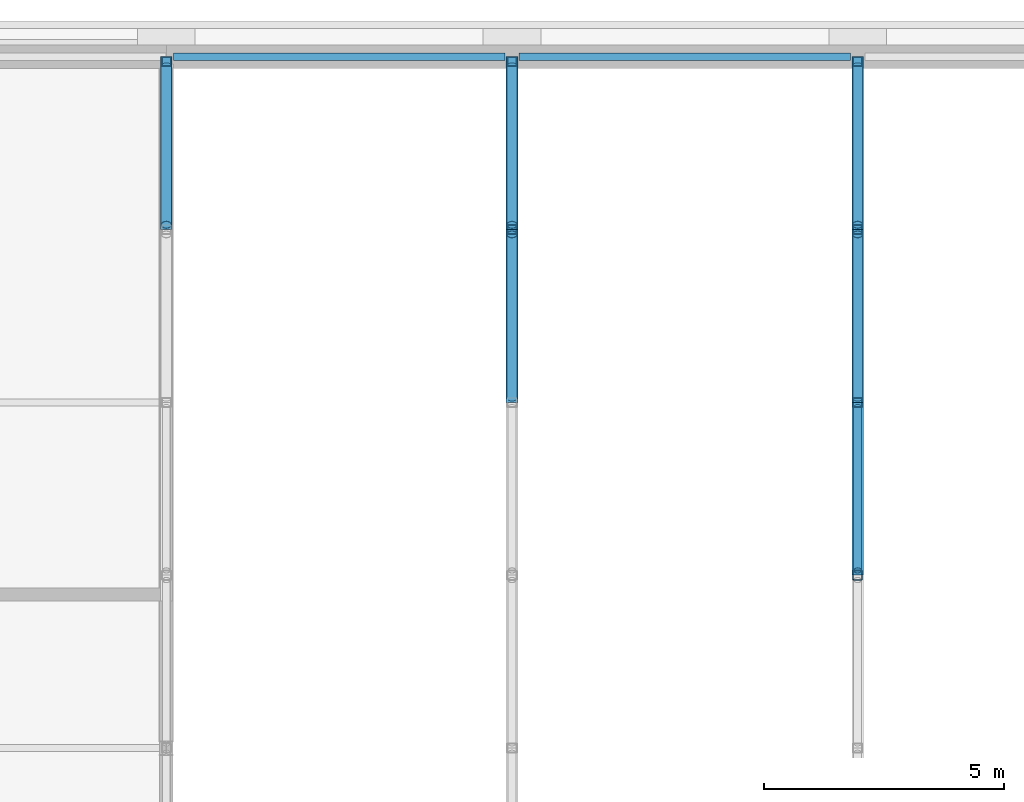
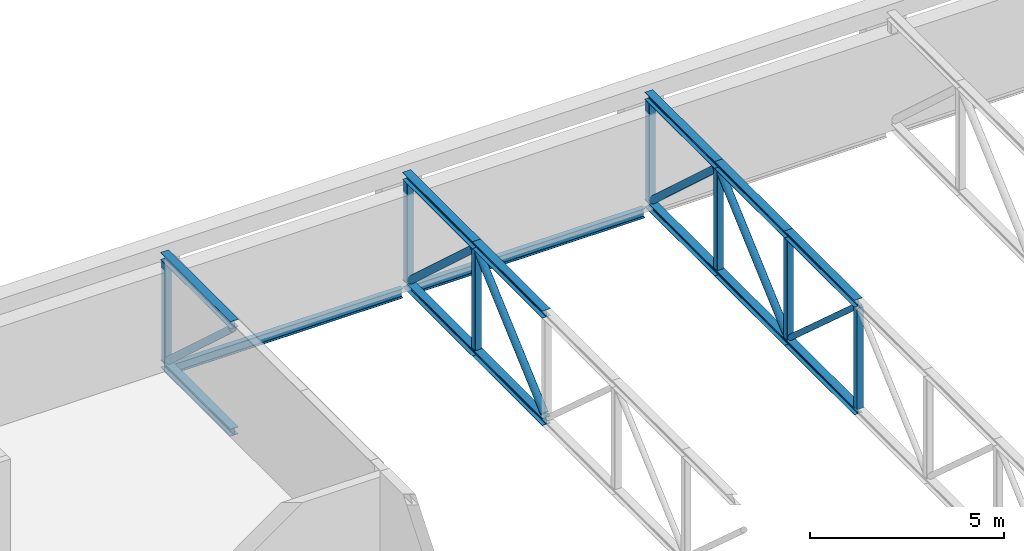
# One storey, part 76 of 142: 25 members, 2 beams.
"""IFC4 building model written with IfcOpenShell, lengths in metres."""

import ifcopenshell
import ifcopenshell.guid

model = None  # the IFC model being written
_history = None  # IfcOwnerHistory: only IFC2X3 demands one
_inside = {}  # id of a spatial element -> (the spatial element, [elements in it])
_under = {}  # id of a project, library or spatial element -> (it, [spatial elements below it])
_declared = {}  # id of a project -> (the project, [libraries it declares])
_typed = {}  # id of a type object -> (the type object, [elements of that type])
_made_of = {}  # id of a material, layer set ... -> (it, [elements and type objects made of it])


def new_model(schema):
    """Start an empty IFC model of exactly this schema.

    Asked for "IFC4X3", IfcOpenShell would pick the latest addendum, in which some entities
    have other attributes; the version numbers below select the first issue.
    IFC2X3 requires an IfcOwnerHistory on every rooted entity: one is made here for all.
    """
    global model, _history
    if schema == "IFC4X3":
        model = ifcopenshell.file(schema_version=(4, 3, 0, 0))
    else:
        model = ifcopenshell.file(schema=schema)
    _inside.clear()
    _under.clear()
    _declared.clear()
    _typed.clear()
    _made_of.clear()
    _history = None
    if model.schema == "IFC2X3":
        org = make("IfcOrganization", Name="unknown")
        user = make(
            "IfcPersonAndOrganization",
            ThePerson=make("IfcPerson", FamilyName="unknown"),
            TheOrganization=org,
        )
        app = make(
            "IfcApplication",
            ApplicationDeveloper=org,
            Version="unknown",
            ApplicationFullName="unknown",
            ApplicationIdentifier="unknown",
        )
        _history = make(
            "IfcOwnerHistory",
            OwningUser=user,
            OwningApplication=app,
            ChangeAction="ADDED",
            CreationDate=0,
        )
    return model


def make(cls, **values):
    """One entity of the class cls with the attributes given. An attribute that is None is left unset."""
    return model.create_entity(
        cls, **{name: value for name, value in values.items() if value is not None}
    )


def rooted(cls, **values):
    """An entity with a GlobalId (a new one), such as an element, a storey or a relation."""
    return make(cls, GlobalId=ifcopenshell.guid.new(), OwnerHistory=_history, **values)


def si_unit(unit_type, name, prefix=None):
    """IfcSIUnit, for example si_unit("LENGTHUNIT", "METRE", prefix="MILLI")."""
    return make("IfcSIUnit", UnitType=unit_type, Prefix=prefix, Name=name)


def assignment(units):
    """IfcUnitAssignment: the units of a project."""
    return None if units is None else make("IfcUnitAssignment", Units=units)


def point(xyz):
    """IfcCartesianPoint."""
    return None if xyz is None else make("IfcCartesianPoint", Coordinates=xyz)


def direction(xyz):
    """IfcDirection."""
    return None if xyz is None else make("IfcDirection", DirectionRatios=xyz)


def frame(location, z_axis=None, x_axis=None):
    """IfcAxis2Placement3D, a coordinate frame: its origin and axes. An axis left out is left unset."""
    return make(
        "IfcAxis2Placement3D",
        Location=point(location),
        Axis=direction(z_axis),
        RefDirection=direction(x_axis),
    )


def frame_2d(location, x_axis=None):
    """IfcAxis2Placement2D, a coordinate frame in the plane: its origin and x axis."""
    return make(
        "IfcAxis2Placement2D", Location=point(location), RefDirection=direction(x_axis)
    )


def origin():
    """The frame at (0, 0, 0) with its axes left unset."""
    return frame((0.0, 0.0, 0.0))


def origin_2d():
    """The frame at (0, 0) in the plane with its x axis left unset."""
    return frame_2d((0.0, 0.0))


def place(relative_to, where):
    """IfcLocalPlacement: puts the frame where relative to a parent placement (None: the world)."""
    return make(
        "IfcLocalPlacement", PlacementRelTo=relative_to, RelativePlacement=where
    )


def context(
    kind, dimensions, precision=None, world=None, true_north=None, identifier=None
):
    """IfcGeometricRepresentationContext, for example the 3D "Model" context."""
    return make(
        "IfcGeometricRepresentationContext",
        ContextIdentifier=identifier,
        ContextType=kind,
        CoordinateSpaceDimension=dimensions,
        Precision=precision,
        WorldCoordinateSystem=world,
        TrueNorth=true_north,
    )


def subcontext(parent, identifier, kind, view, scale=None):
    """IfcGeometricRepresentationSubContext, for example "Body" below "Model"."""
    return make(
        "IfcGeometricRepresentationSubContext",
        ContextIdentifier=identifier,
        ContextType=kind,
        ParentContext=parent,
        TargetScale=scale,
        TargetView=view,
    )


def project(units=None, contexts=None):
    """IfcProject with its units and contexts."""
    return rooted(
        "IfcProject",
        Name="project",
        RepresentationContexts=contexts,
        UnitsInContext=assignment(units),
    )


def spatial(cls, under=None, at=None, **own):
    """A site, building, storey or space (cls), placed at a placement, below another one or the project."""
    s = rooted(cls, ObjectPlacement=at, **own)
    if under is not None:
        _under.setdefault(under.id(), (under, []))[1].append(s)
    return s


def profile(cls, at=None, kind="AREA", **sizes):
    """A parametric profile (cls). Its sizes go by their IFC names, for example OverallWidth=200.0."""
    return make(cls, ProfileType=kind, Position=at, **sizes)


def hollow_rectangle(**sizes):
    """IfcRectangleHollowProfileDef."""
    return profile("IfcRectangleHollowProfileDef", **sizes)


def hollow_circle(**sizes):
    """IfcCircleHollowProfileDef."""
    return profile("IfcCircleHollowProfileDef", **sizes)


def i_section(**sizes):
    """IfcIShapeProfileDef."""
    return profile("IfcIShapeProfileDef", **sizes)


def extrude(swept, where, along, depth):
    """IfcExtrudedAreaSolid: the profile swept, set in the frame where, extruded along a direction by depth."""
    return make(
        "IfcExtrudedAreaSolid",
        SweptArea=swept,
        Position=where,
        ExtrudedDirection=direction(along),
        Depth=depth,
    )


def shape(context_of_items, identifier, shape_type, items):
    """IfcShapeRepresentation: the items that make up one representation, for example the "Body"."""
    return make(
        "IfcShapeRepresentation",
        ContextOfItems=context_of_items,
        RepresentationIdentifier=identifier,
        RepresentationType=shape_type,
        Items=items,
    )


def material(Name=None, Category=None):
    """IfcMaterial."""
    return make("IfcMaterial", Name=Name, Category=Category)


def material_profile(
    of_material, cross_section, Name=None, Category=None, Priority=None
):
    """IfcMaterialProfile: a cross section and its material."""
    return make(
        "IfcMaterialProfile",
        Name=Name,
        Material=of_material,
        Profile=cross_section,
        Priority=Priority,
        Category=Category,
    )


def profile_set(profiles, Name=None, composite=None):
    """IfcMaterialProfileSet."""
    return make(
        "IfcMaterialProfileSet",
        Name=Name,
        MaterialProfiles=profiles,
        CompositeProfile=composite,
    )


def made_of(thing, what):
    """Note that an element or type object is made of a material, layer set ...; save() writes the relation."""
    if what is not None:
        _made_of.setdefault(what.id(), (what, []))[1].append(thing)
    return thing


def type_object(cls, material=None, **own):
    """A type object (cls), such as IfcWallType, which elements share."""
    return made_of(rooted(cls, **own), material)


def element(
    cls,
    number,
    at=None,
    inside=None,
    cuts=None,
    type_object=None,
    material=None,
    context=None,
    identifier="Body",
    shape_type=None,
    held_by="IfcProductDefinitionShape",
    body=None,
    shapes=None,
    **own,
):
    """One element of the class cls, such as IfcWall. Its Tag is "e" and its number.

    at: its placement. inside: the storey or other place that contains it. cuts: it is an
    opening in that element (IfcRelVoidsElement). A single representation is given by context,
    identifier, shape_type and body (its items); several are given by shapes. held_by: the class
    of the entity that holds the representations. save() writes the other relations.
    """
    e = rooted(cls, Tag="e%d" % number, ObjectPlacement=at, **own)
    if body is not None:
        shapes = [shape(context, identifier, shape_type, body)]
    if shapes is not None:
        e.Representation = make(held_by, Representations=shapes)
    if inside is not None:
        _inside.setdefault(inside.id(), (inside, []))[1].append(e)
    if cuts is not None:
        rooted(
            "IfcRelVoidsElement", RelatingBuildingElement=cuts, RelatedOpeningElement=e
        )
    if type_object is not None:
        _typed.setdefault(type_object.id(), (type_object, []))[1].append(e)
    return made_of(e, material)


def aggregate(whole, parts):
    """IfcRelAggregates: a whole, such as a stair, and the parts it consists of."""
    return rooted("IfcRelAggregates", RelatingObject=whole, RelatedObjects=parts)


def save(model, path):
    """Write the relations noted so far, then the file.

    IfcRelAggregates (storeys below a building ...), IfcRelContainedInSpatialStructure (elements
    in a storey), IfcRelDefinesByType, IfcRelAssociatesMaterial and IfcRelDeclares: one each for
    every whole, place, type object, material and project.
    """
    for whole, parts in _under.values():
        aggregate(whole, parts)
    for where, things in _inside.values():
        rooted(
            "IfcRelContainedInSpatialStructure",
            RelatedElements=things,
            RelatingStructure=where,
        )
    for kind, things in _typed.values():
        rooted("IfcRelDefinesByType", RelatedObjects=things, RelatingType=kind)
    for what, things in _made_of.values():
        rooted("IfcRelAssociatesMaterial", RelatedObjects=things, RelatingMaterial=what)
    for by, libraries in _declared.values():
        rooted("IfcRelDeclares", RelatingContext=by, RelatedDefinitions=libraries)
    model.write(path)


model = new_model("IFC4")

# Units and contexts
model_context = context("Model", 3, precision=1e-05, world=origin(), true_north=direction((0.0, 1.0)))
body_context = subcontext(model_context, "Body", "Model", "MODEL_VIEW")
ifc_project = project(units=[si_unit("LENGTHUNIT", "METRE"), si_unit("AREAUNIT", "SQUARE_METRE"), si_unit("VOLUMEUNIT", "CUBIC_METRE"), si_unit("PLANEANGLEUNIT", "RADIAN"), si_unit("MASSUNIT", "GRAM", prefix="KILO")], contexts=[model_context])

# Site, building, storey
site_placement = place(None, origin())
site = spatial("IfcSite", under=ifc_project, at=site_placement, CompositionType="ELEMENT")
building_placement = place(site_placement, origin())
building = spatial("IfcBuilding", under=site, at=building_placement, Name="Kupolbacken Congress Centre", CompositionType="ELEMENT")
storey_placement = place(building_placement, frame((0.0, 0.0, 14.39990234375)))
storey = spatial("IfcBuildingStorey", under=building, at=storey_placement, Name="L04", CompositionType="ELEMENT", Elevation=14.39990234375)

# Beams
ifc_material_1 = material(Name="Steel S355", Category="steel")
ifc_material_profile_1 = material_profile(ifc_material_1, i_section(OverallWidth=0.14990234375, OverallDepth=0.300048828125, WebThickness=0.007080078125, FlangeThickness=0.0107421875, FilletRadius=0.014892578125, at=origin_2d()), Name="IPE 300")
ifc_profile_set_1 = profile_set([ifc_material_profile_1], Name="Steel S355")
beam_type = type_object("IfcBeamType", Name="B04 beam IPE 300", PredefinedType="BEAM", material=ifc_profile_set_1)
for number, where, z_axis, x_axis, name in (
    (1, (151.35009765625, 151.199951171875, -0.14990234375), (1.0, 0.0, 0.0), (0.0, 1.0, 0.0), "Edge girder"),
    (2, (158.550048828125, 151.199951171875, -0.14990234375), (1.0, 0.0, 0.0), (0.0, 1.0, 0.0), "Edge girder"),
):
    element("IfcBeam", number, at=place(storey_placement, frame(where, z_axis=z_axis, x_axis=x_axis)), inside=storey, type_object=beam_type, Name=name, PredefinedType="BEAM", context=body_context, shape_type="SweptSolid", body=[
        extrude(i_section(OverallWidth=0.14990234375, OverallDepth=0.300048828125, WebThickness=0.007080078125, FlangeThickness=0.0107421875, FilletRadius=0.014892578125, at=origin_2d()), origin(), (0.0, 0.0, 1.0), 6.89990234375),
    ])

# Members
ifc_material_2 = material(Name="Steel S355", Category="steel")
ifc_material_profile_2 = material_profile(ifc_material_2, hollow_circle(Radius=0.109619140625, WallThickness=0.010009765625, at=origin_2d()), Name="CHS 219.1 x 10")
ifc_profile_set_2 = profile_set([ifc_material_profile_2], Name="Steel S355")
member_type_1 = type_object("IfcMemberType", Name="M05 transfer truss web CHS 219.1 x 10", PredefinedType="BRACE", material=ifc_profile_set_2)
member_1_placement = place(storey_placement, frame((151.199951171875, 147.699951171875, 3.30078125), z_axis=(0.0, 0.738665296168, -0.674072385013), x_axis=(-1.0, 0.0, 0.0)))
element("IfcMember", 3, at=member_1_placement, inside=storey, type_object=member_type_1, Name="BT/B1/D08", PredefinedType="BRACE", context=body_context, shape_type="SweptSolid", body=[
    extrude(hollow_circle(Radius=0.109619140625, WallThickness=0.010009765625, at=origin_2d()), origin(), (0.0, 0.0, 1.0), 4.467529296875),
])
member_2_placement = place(storey_placement, frame((158.39990234375, 144.10009765625, 0.29052734375), z_axis=(0.0, 0.748813846758, 0.662780373053), x_axis=(-1.0, 0.0, 0.0)))
element("IfcMember", 4, at=member_2_placement, inside=storey, type_object=member_type_1, Name="BT/B2/D07", PredefinedType="BRACE", context=body_context, shape_type="SweptSolid", body=[
    extrude(hollow_circle(Radius=0.109619140625, WallThickness=0.010009765625, at=origin_2d()), origin(), (0.0, 0.0, 1.0), 4.540283203125),
])
member_3_placement = place(storey_placement, frame((158.39990234375, 147.699951171875, 3.30078125), z_axis=(0.0, 0.738665296168, -0.674072385013), x_axis=(-1.0, 0.0, 0.0)))
element("IfcMember", 5, at=member_3_placement, inside=storey, type_object=member_type_1, Name="BT/B2/D08", PredefinedType="BRACE", context=body_context, shape_type="SweptSolid", body=[
    extrude(hollow_circle(Radius=0.109619140625, WallThickness=0.010009765625, at=origin_2d()), origin(), (0.0, 0.0, 1.0), 4.467529296875),
])
member_4_placement = place(storey_placement, frame((165.60009765625, 144.10009765625, 0.29052734375), z_axis=(0.0, 0.748813846758, 0.662780373053), x_axis=(-1.0, 0.0, 0.0)))
element("IfcMember", 6, at=member_4_placement, inside=storey, type_object=member_type_1, Name="BT/B3/D07", PredefinedType="BRACE", context=body_context, shape_type="SweptSolid", body=[
    extrude(hollow_circle(Radius=0.109619140625, WallThickness=0.010009765625, at=origin_2d()), origin(), (0.0, 0.0, 1.0), 4.540283203125),
])
member_5_placement = place(storey_placement, frame((165.60009765625, 147.699951171875, 3.30078125), z_axis=(0.0, 0.738665296168, -0.674072385013), x_axis=(-1.0, 0.0, 0.0)))
element("IfcMember", 7, at=member_5_placement, inside=storey, type_object=member_type_1, Name="BT/B3/D08", PredefinedType="BRACE", context=body_context, shape_type="SweptSolid", body=[
    extrude(hollow_circle(Radius=0.109619140625, WallThickness=0.010009765625, at=origin_2d()), origin(), (0.0, 0.0, 1.0), 4.467529296875),
])
ifc_material_3 = material(Name="Steel S355", Category="steel")
ifc_material_profile_3 = material_profile(ifc_material_3, hollow_circle(Radius=0.084228515625, WallThickness=0.008056640625, at=origin_2d()), Name="CHS 168.3 x 8")
ifc_profile_set_3 = profile_set([ifc_material_profile_3], Name="Steel S355")
member_type_2 = type_object("IfcMemberType", Name="M06 transfer truss web CHS 168.3 x 8", PredefinedType="BRACE", material=ifc_profile_set_3)
member_6_placement = place(storey_placement, frame((165.60009765625, 140.5, 3.318359375), z_axis=(0.0, 0.744738982007, -0.667355863598), x_axis=(-1.0, 0.0, 0.0)))
element("IfcMember", 8, at=member_6_placement, inside=storey, type_object=member_type_2, Name="BT/B3/D06", PredefinedType="BRACE", context=body_context, shape_type="SweptSolid", body=[
    extrude(hollow_circle(Radius=0.084228515625, WallThickness=0.008056640625, at=origin_2d()), origin(), (0.0, 0.0, 1.0), 4.565185546875),
])
ifc_material_4 = material(Name="Steel S355", Category="steel")
ifc_material_profile_4 = material_profile(ifc_material_4, i_section(OverallWidth=0.239990234375, OverallDepth=0.22998046875, WebThickness=0.007568359375, FlangeThickness=0.011962890625, FilletRadius=0.02099609375, at=origin_2d()), Name="HEA 240")
ifc_profile_set_4 = profile_set([ifc_material_profile_4], Name="Steel S355")
member_type_3 = type_object("IfcMemberType", Name="M07 transfer truss chord HEA 240", PredefinedType="CHORD", material=ifc_profile_set_4)
for number, where, z_axis, x_axis, name in (
    (9, (151.199951171875, 147.60009765625, 0.10498046875), (0.0, 1.0, 0.0), (-1.0, 0.0, 0.0), "BT/B1/BC08"),
    (10, (151.199951171875, 147.60009765625, 3.485107421875), (0.0, 1.0, 0.0), (-1.0, 0.0, 0.0), "BT/B1/TC08"),
):
    element("IfcMember", number, at=place(storey_placement, frame(where, z_axis=z_axis, x_axis=x_axis)), inside=storey, type_object=member_type_3, Name=name, PredefinedType="CHORD", context=body_context, shape_type="SweptSolid", body=[
        extrude(i_section(OverallWidth=0.239990234375, OverallDepth=0.22998046875, WebThickness=0.007568359375, FlangeThickness=0.011962890625, FilletRadius=0.02099609375, at=origin_2d()), origin(), (0.0, 0.0, 1.0), 3.599853515625),
    ])
for number, where, z_axis, x_axis, name in (
    (11, (158.39990234375, 144.0, 0.10498046875), (0.0, 1.0, 0.0), (-1.0, 0.0, 0.0), "BT/B2/BC07"),
    (12, (158.39990234375, 144.0, 3.485107421875), (0.0, 1.0, 0.0), (-1.0, 0.0, 0.0), "BT/B2/TC07"),
):
    element("IfcMember", number, at=place(storey_placement, frame(where, z_axis=z_axis, x_axis=x_axis)), inside=storey, type_object=member_type_3, Name=name, PredefinedType="CHORD", context=body_context, shape_type="SweptSolid", body=[
        extrude(i_section(OverallWidth=0.239990234375, OverallDepth=0.22998046875, WebThickness=0.007568359375, FlangeThickness=0.011962890625, FilletRadius=0.02099609375, at=origin_2d()), origin(), (0.0, 0.0, 1.0), 3.60009765625),
    ])
for number, where, z_axis, x_axis, name in (
    (13, (158.39990234375, 147.60009765625, 0.10498046875), (0.0, 1.0, 0.0), (-1.0, 0.0, 0.0), "BT/B2/BC08"),
    (14, (158.39990234375, 147.60009765625, 3.485107421875), (0.0, 1.0, 0.0), (-1.0, 0.0, 0.0), "BT/B2/TC08"),
):
    element("IfcMember", number, at=place(storey_placement, frame(where, z_axis=z_axis, x_axis=x_axis)), inside=storey, type_object=member_type_3, Name=name, PredefinedType="CHORD", context=body_context, shape_type="SweptSolid", body=[
        extrude(i_section(OverallWidth=0.239990234375, OverallDepth=0.22998046875, WebThickness=0.007568359375, FlangeThickness=0.011962890625, FilletRadius=0.02099609375, at=origin_2d()), origin(), (0.0, 0.0, 1.0), 3.599853515625),
    ])
for number, where, z_axis, x_axis, name in (
    (15, (165.60009765625, 140.39990234375, 0.10498046875), (0.0, 1.0, 0.0), (-1.0, 0.0, 0.0), "BT/B3/BC06"),
    (16, (165.60009765625, 140.39990234375, 3.485107421875), (0.0, 1.0, 0.0), (-1.0, 0.0, 0.0), "BT/B3/TC06"),
    (17, (165.60009765625, 144.0, 0.10498046875), (0.0, 1.0, 0.0), (-1.0, 0.0, 0.0), "BT/B3/BC07"),
    (18, (165.60009765625, 144.0, 3.485107421875), (0.0, 1.0, 0.0), (-1.0, 0.0, 0.0), "BT/B3/TC07"),
):
    element("IfcMember", number, at=place(storey_placement, frame(where, z_axis=z_axis, x_axis=x_axis)), inside=storey, type_object=member_type_3, Name=name, PredefinedType="CHORD", context=body_context, shape_type="SweptSolid", body=[
        extrude(i_section(OverallWidth=0.239990234375, OverallDepth=0.22998046875, WebThickness=0.007568359375, FlangeThickness=0.011962890625, FilletRadius=0.02099609375, at=origin_2d()), origin(), (0.0, 0.0, 1.0), 3.60009765625),
    ])
for number, where, z_axis, x_axis, name in (
    (19, (165.60009765625, 147.60009765625, 0.10498046875), (0.0, 1.0, 0.0), (-1.0, 0.0, 0.0), "BT/B3/BC08"),
    (20, (165.60009765625, 147.60009765625, 3.485107421875), (0.0, 1.0, 0.0), (-1.0, 0.0, 0.0), "BT/B3/TC08"),
):
    element("IfcMember", number, at=place(storey_placement, frame(where, z_axis=z_axis, x_axis=x_axis)), inside=storey, type_object=member_type_3, Name=name, PredefinedType="CHORD", context=body_context, shape_type="SweptSolid", body=[
        extrude(i_section(OverallWidth=0.239990234375, OverallDepth=0.22998046875, WebThickness=0.007568359375, FlangeThickness=0.011962890625, FilletRadius=0.02099609375, at=origin_2d()), origin(), (0.0, 0.0, 1.0), 3.599853515625),
    ])
ifc_material_5 = material(Name="Steel S355", Category="steel")
ifc_material_profile_5 = material_profile(ifc_material_5, hollow_rectangle(XDim=0.199951171875, YDim=0.199951171875, WallThickness=0.010009765625, InnerFilletRadius=0.010009765625, OuterFilletRadius=0.014892578125, at=origin_2d()), Name="SHS 200 x 200 x 10")
ifc_profile_set_5 = profile_set([ifc_material_profile_5], Name="Steel S355")
member_type_4 = type_object("IfcMemberType", Name="M10 transfer truss post SHS 200 x 200 x 10", PredefinedType="STRUT", material=ifc_profile_set_5)
for number, where, z_axis, x_axis, name in (
    (21, (151.199951171875, 151.10009765625, 0.210205078125), (0.0, 0.0, 1.0), (0.0, 1.0, 0.0), "BT/B1/P08"),
    (22, (158.39990234375, 147.60009765625, 0.210205078125), (0.0, 0.0, 1.0), (0.0, 1.0, 0.0), "BT/B2/P07"),
    (23, (158.39990234375, 151.10009765625, 0.210205078125), (0.0, 0.0, 1.0), (0.0, 1.0, 0.0), "BT/B2/P08"),
    (24, (165.60009765625, 140.39990234375, 0.210205078125), (0.0, 0.0, 1.0), (0.0, 1.0, 0.0), "BT/B3/P05"),
    (25, (165.60009765625, 144.0, 0.210205078125), (0.0, 0.0, 1.0), (0.0, 1.0, 0.0), "BT/B3/P06"),
    (26, (165.60009765625, 147.60009765625, 0.210205078125), (0.0, 0.0, 1.0), (0.0, 1.0, 0.0), "BT/B3/P07"),
    (27, (165.60009765625, 151.10009765625, 0.210205078125), (0.0, 0.0, 1.0), (0.0, 1.0, 0.0), "BT/B3/P08"),
):
    element("IfcMember", number, at=place(storey_placement, frame(where, z_axis=z_axis, x_axis=x_axis)), inside=storey, type_object=member_type_4, Name=name, PredefinedType="STRUT", context=body_context, shape_type="SweptSolid", body=[
        extrude(hollow_rectangle(XDim=0.199951171875, YDim=0.199951171875, WallThickness=0.010009765625, InnerFilletRadius=0.010009765625, OuterFilletRadius=0.014892578125, at=origin_2d()), origin(), (0.0, 0.0, 1.0), 3.169921875),
    ])

save(model, "model.ifc")
